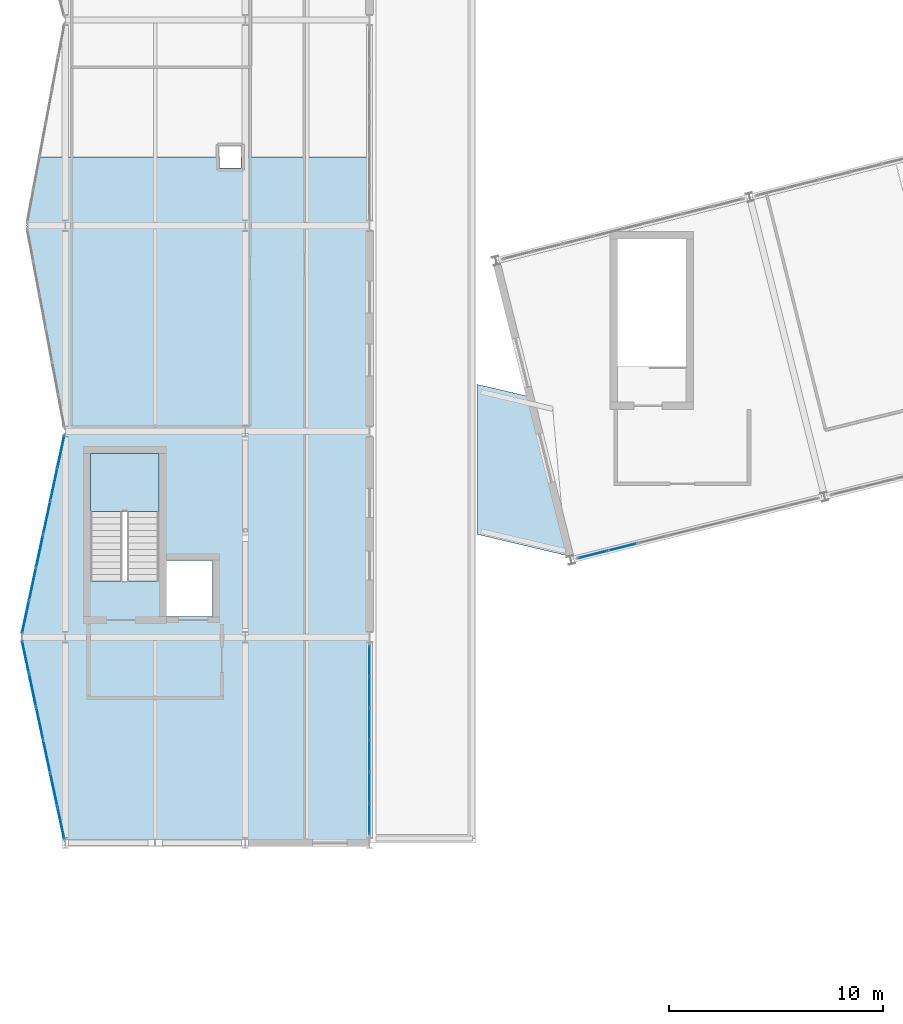
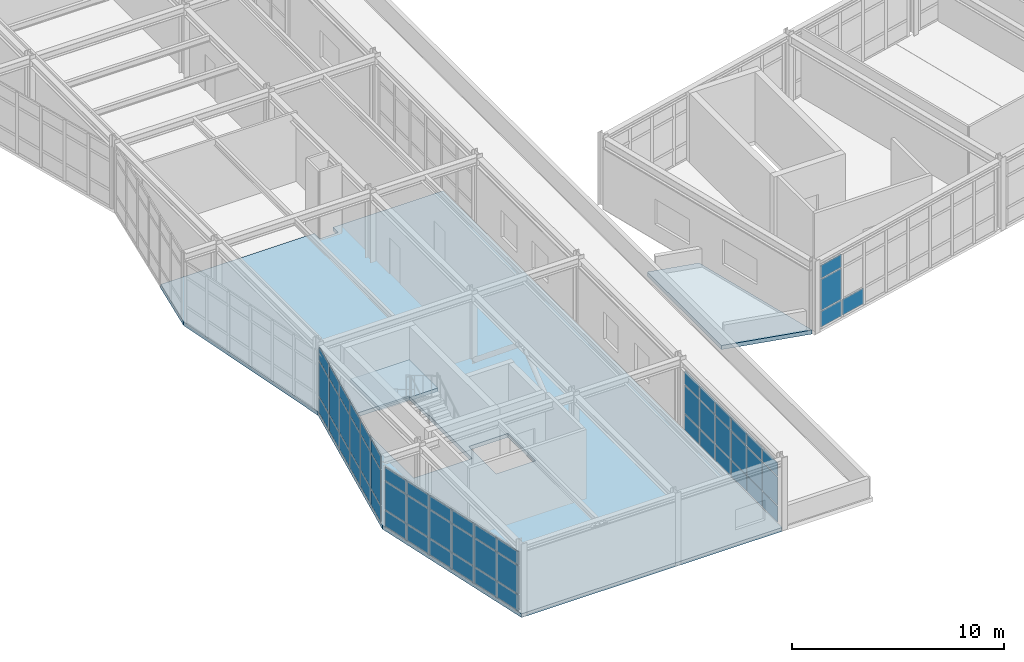
# One storey, part 39 of 64: 58 plates, 3 slabs, 5 elements without a shape of their own.
"""IFC4 building model written with IfcOpenShell, lengths in metres."""

from ifc_helpers import new_model, si_unit, direction, frame, origin, origin_2d, place, context, subcontext, project, spatial, polyline, rectangle, outline, extrude, material, layer, layer_set, type_object, element, aggregate, save


model = new_model("IFC4")

# Units and contexts
model_context = context("Model", 3, precision=1e-05, world=origin(), true_north=direction((0.0, 1.0)))
body_context = subcontext(model_context, "Body", "Model", "MODEL_VIEW")
ifc_project = project(units=[si_unit("LENGTHUNIT", "METRE"), si_unit("AREAUNIT", "SQUARE_METRE"), si_unit("VOLUMEUNIT", "CUBIC_METRE"), si_unit("PLANEANGLEUNIT", "RADIAN"), si_unit("MASSUNIT", "GRAM", prefix="KILO")], contexts=[model_context])

# Site, building, storey
site_placement = place(None, origin())
site = spatial("IfcSite", under=ifc_project, at=site_placement, CompositionType="ELEMENT")
building_placement = place(site_placement, origin())
building = spatial("IfcBuilding", under=site, at=building_placement, Name="Nordkorset Police Headquarters", CompositionType="ELEMENT")
storey_placement = place(building_placement, frame((0.0, 0.0, 17.85009765625)))
storey = spatial("IfcBuildingStorey", under=building, at=storey_placement, Name="L04", CompositionType="ELEMENT", Elevation=17.85009765625)

# Curtain wall, plates
ifc_material_1 = material(Name="Aluminium alloy AW-6060", Category="aluminium")
ifc_layer_1 = layer(ifc_material_1, 0.179931640625, Name="Aluminium alloy AW-6060")
ifc_layer_set_1 = layer_set([ifc_layer_1], Name="Aluminium alloy AW-6060")
curtain_wall_type_1 = type_object("IfcCurtainWallType", Name="CW_Unit_954x353", PredefinedType="USERDEFINED", material=ifc_layer_set_1)
curtain_wall_1_placement = place(storey_placement, origin())
curtain_wall_1 = element("IfcCurtainWall", 1, at=curtain_wall_1_placement, inside=storey, type_object=curtain_wall_type_1, Name="Unitised Curtain Wall L04 V3W-0", ObjectType="UNITISED CURTAIN WALL", PredefinedType="USERDEFINED")
ifc_material_2 = material(Name="Low-iron triple glazing", Category="glass")
ifc_layer_2 = layer(ifc_material_2, 0.035888671875, Name="Low-iron triple glazing")
ifc_layer_set_2 = layer_set([ifc_layer_2], Name="Low-iron triple glazing")
plate_type = type_object("IfcPlateType", Name="CW_Panel_TripleGlazing_36", PredefinedType="CURTAIN_PANEL", material=ifc_layer_set_2)
plate_1_placement = place(storey_placement, frame((-0.198486328125, 29.72998046875, 0.06494140625), z_axis=(0.0, 0.0, 1.0), x_axis=(-0.208832534289, 0.977951416289, 0.0)))
plate_1 = element("IfcPlate", 2, at=plate_1_placement, type_object=plate_type, Name="CW-09 panel 1.1", PredefinedType="CURTAIN_PANEL", context=body_context, shape_type="SweptSolid", body=[
    extrude(rectangle(XDim=1.491943359375, YDim=0.035888671875, at=origin_2d()), origin(), (0.0, 0.0, 1.0), 0.902587890625),
])
plate_2_placement = place(storey_placement, frame((-0.198486328125, 29.72998046875, 1.0322265625), z_axis=(0.0, 0.0, 1.0), x_axis=(-0.208832534289, 0.977951416289, 0.0)))
plate_2 = element("IfcPlate", 3, at=plate_2_placement, type_object=plate_type, Name="CW-09 panel 1.2", PredefinedType="CURTAIN_PANEL", context=body_context, shape_type="SweptSolid", body=[
    extrude(rectangle(XDim=1.491943359375, YDim=0.035888671875, at=origin_2d()), origin(), (0.0, 0.0, 1.0), 1.614990234375),
])
plate_3_placement = place(storey_placement, frame((-0.198486328125, 29.72998046875, 2.71240234375), z_axis=(0.0, 0.0, 1.0), x_axis=(-0.208832534289, 0.977951416289, 0.0)))
plate_3 = element("IfcPlate", 4, at=plate_3_placement, type_object=plate_type, Name="CW-09 panel 1.3", PredefinedType="CURTAIN_PANEL", context=body_context, shape_type="SweptSolid", body=[
    extrude(rectangle(XDim=1.491943359375, YDim=0.035888671875, at=origin_2d()), origin(), (0.0, 0.0, 1.0), 0.75244140625),
])
plate_4_placement = place(storey_placement, frame((-0.527099609375, 31.2685546875, 0.06494140625), z_axis=(0.0, 0.0, 1.0), x_axis=(-0.208832534289, 0.977951416289, 0.0)))
plate_4 = element("IfcPlate", 5, at=plate_4_placement, type_object=plate_type, Name="CW-09 panel 2.1", PredefinedType="CURTAIN_PANEL", context=body_context, shape_type="SweptSolid", body=[
    extrude(rectangle(XDim=1.5244140625, YDim=0.035888671875, at=origin_2d()), origin(), (0.0, 0.0, 1.0), 0.902587890625),
])
plate_5_placement = place(storey_placement, frame((-0.527099609375, 31.2685546875, 1.0322265625), z_axis=(0.0, 0.0, 1.0), x_axis=(-0.208832534289, 0.977951416289, 0.0)))
plate_5 = element("IfcPlate", 6, at=plate_5_placement, type_object=plate_type, Name="CW-09 panel 2.2", PredefinedType="CURTAIN_PANEL", context=body_context, shape_type="SweptSolid", body=[
    extrude(rectangle(XDim=1.5244140625, YDim=0.035888671875, at=origin_2d()), origin(), (0.0, 0.0, 1.0), 1.614990234375),
])
plate_6_placement = place(storey_placement, frame((-0.527099609375, 31.2685546875, 2.71240234375), z_axis=(0.0, 0.0, 1.0), x_axis=(-0.208832534289, 0.977951416289, 0.0)))
plate_6 = element("IfcPlate", 7, at=plate_6_placement, type_object=plate_type, Name="CW-09 panel 2.3", PredefinedType="CURTAIN_PANEL", context=body_context, shape_type="SweptSolid", body=[
    extrude(rectangle(XDim=1.5244140625, YDim=0.035888671875, at=origin_2d()), origin(), (0.0, 0.0, 1.0), 0.75244140625),
])
plate_7_placement = place(storey_placement, frame((-0.859130859375, 32.82275390625, 0.06494140625), z_axis=(0.0, 0.0, 1.0), x_axis=(-0.208832534289, 0.977951416289, 0.0)))
plate_7 = element("IfcPlate", 8, at=plate_7_placement, type_object=plate_type, Name="CW-09 panel 3.1", PredefinedType="CURTAIN_PANEL", context=body_context, shape_type="SweptSolid", body=[
    extrude(rectangle(XDim=1.5244140625, YDim=0.035888671875, at=origin_2d()), origin(), (0.0, 0.0, 1.0), 0.902587890625),
])
plate_8_placement = place(storey_placement, frame((-0.859130859375, 32.82275390625, 1.0322265625), z_axis=(0.0, 0.0, 1.0), x_axis=(-0.208832534289, 0.977951416289, 0.0)))
plate_8 = element("IfcPlate", 9, at=plate_8_placement, type_object=plate_type, Name="CW-09 panel 3.2", PredefinedType="CURTAIN_PANEL", context=body_context, shape_type="SweptSolid", body=[
    extrude(rectangle(XDim=1.5244140625, YDim=0.035888671875, at=origin_2d()), origin(), (0.0, 0.0, 1.0), 1.614990234375),
])
plate_9_placement = place(storey_placement, frame((-0.859130859375, 32.82275390625, 2.71240234375), z_axis=(0.0, 0.0, 1.0), x_axis=(-0.208832534289, 0.977951416289, 0.0)))
plate_9 = element("IfcPlate", 10, at=plate_9_placement, type_object=plate_type, Name="CW-09 panel 3.3", PredefinedType="CURTAIN_PANEL", context=body_context, shape_type="SweptSolid", body=[
    extrude(rectangle(XDim=1.5244140625, YDim=0.035888671875, at=origin_2d()), origin(), (0.0, 0.0, 1.0), 0.75244140625),
])
plate_10_placement = place(storey_placement, frame((-1.19091796875, 34.377197265625, 0.06494140625), z_axis=(0.0, 0.0, 1.0), x_axis=(-0.208832534289, 0.977951416289, 0.0)))
plate_10 = element("IfcPlate", 11, at=plate_10_placement, type_object=plate_type, Name="CW-09 panel 4.1", PredefinedType="CURTAIN_PANEL", context=body_context, shape_type="SweptSolid", body=[
    extrude(rectangle(XDim=1.5244140625, YDim=0.035888671875, at=origin_2d()), origin(), (0.0, 0.0, 1.0), 0.902587890625),
])
plate_11_placement = place(storey_placement, frame((-1.19091796875, 34.377197265625, 1.0322265625), z_axis=(0.0, 0.0, 1.0), x_axis=(-0.208832534289, 0.977951416289, 0.0)))
plate_11 = element("IfcPlate", 12, at=plate_11_placement, type_object=plate_type, Name="CW-09 panel 4.2", PredefinedType="CURTAIN_PANEL", context=body_context, shape_type="SweptSolid", body=[
    extrude(rectangle(XDim=1.5244140625, YDim=0.035888671875, at=origin_2d()), origin(), (0.0, 0.0, 1.0), 1.614990234375),
])
plate_12_placement = place(storey_placement, frame((-1.19091796875, 34.377197265625, 2.71240234375), z_axis=(0.0, 0.0, 1.0), x_axis=(-0.208832534289, 0.977951416289, 0.0)))
plate_12 = element("IfcPlate", 13, at=plate_12_placement, type_object=plate_type, Name="CW-09 panel 4.3", PredefinedType="CURTAIN_PANEL", context=body_context, shape_type="SweptSolid", body=[
    extrude(rectangle(XDim=1.5244140625, YDim=0.035888671875, at=origin_2d()), origin(), (0.0, 0.0, 1.0), 0.75244140625),
])
plate_13_placement = place(storey_placement, frame((-1.52294921875, 35.931640625, 0.06494140625), z_axis=(0.0, 0.0, 1.0), x_axis=(-0.208832534289, 0.977951416289, 0.0)))
plate_13 = element("IfcPlate", 14, at=plate_13_placement, type_object=plate_type, Name="CW-09 panel 5.1", PredefinedType="CURTAIN_PANEL", context=body_context, shape_type="SweptSolid", body=[
    extrude(rectangle(XDim=1.5244140625, YDim=0.035888671875, at=origin_2d()), origin(), (0.0, 0.0, 1.0), 0.902587890625),
])
plate_14_placement = place(storey_placement, frame((-1.52294921875, 35.931640625, 1.0322265625), z_axis=(0.0, 0.0, 1.0), x_axis=(-0.208832534289, 0.977951416289, 0.0)))
plate_14 = element("IfcPlate", 15, at=plate_14_placement, type_object=plate_type, Name="CW-09 panel 5.2", PredefinedType="CURTAIN_PANEL", context=body_context, shape_type="SweptSolid", body=[
    extrude(rectangle(XDim=1.5244140625, YDim=0.035888671875, at=origin_2d()), origin(), (0.0, 0.0, 1.0), 1.614990234375),
])
plate_15_placement = place(storey_placement, frame((-1.52294921875, 35.931640625, 2.71240234375), z_axis=(0.0, 0.0, 1.0), x_axis=(-0.208832534289, 0.977951416289, 0.0)))
plate_15 = element("IfcPlate", 16, at=plate_15_placement, type_object=plate_type, Name="CW-09 panel 5.3", PredefinedType="CURTAIN_PANEL", context=body_context, shape_type="SweptSolid", body=[
    extrude(rectangle(XDim=1.5244140625, YDim=0.035888671875, at=origin_2d()), origin(), (0.0, 0.0, 1.0), 0.75244140625),
])
plate_16_placement = place(storey_placement, frame((-1.851318359375, 37.469970703125, 0.06494140625), z_axis=(0.0, 0.0, 1.0), x_axis=(-0.208832534289, 0.977951416289, 0.0)))
plate_16 = element("IfcPlate", 17, at=plate_16_placement, type_object=plate_type, Name="CW-09 panel 6.1", PredefinedType="CURTAIN_PANEL", context=body_context, shape_type="SweptSolid", body=[
    extrude(rectangle(XDim=1.491943359375, YDim=0.035888671875, at=origin_2d()), origin(), (0.0, 0.0, 1.0), 0.902587890625),
])
plate_17_placement = place(storey_placement, frame((-1.851318359375, 37.469970703125, 1.0322265625), z_axis=(0.0, 0.0, 1.0), x_axis=(-0.208832534289, 0.977951416289, 0.0)))
plate_17 = element("IfcPlate", 18, at=plate_17_placement, type_object=plate_type, Name="CW-09 panel 6.2", PredefinedType="CURTAIN_PANEL", context=body_context, shape_type="SweptSolid", body=[
    extrude(rectangle(XDim=1.491943359375, YDim=0.035888671875, at=origin_2d()), origin(), (0.0, 0.0, 1.0), 1.614990234375),
])
plate_18_placement = place(storey_placement, frame((-1.851318359375, 37.469970703125, 2.71240234375), z_axis=(0.0, 0.0, 1.0), x_axis=(-0.208832534289, 0.977951416289, 0.0)))
plate_18 = element("IfcPlate", 19, at=plate_18_placement, type_object=plate_type, Name="CW-09 panel 6.3", PredefinedType="CURTAIN_PANEL", context=body_context, shape_type="SweptSolid", body=[
    extrude(rectangle(XDim=1.491943359375, YDim=0.035888671875, at=origin_2d()), origin(), (0.0, 0.0, 1.0), 0.75244140625),
])
aggregate(curtain_wall_1, [plate_1, plate_2, plate_3, plate_4, plate_5, plate_6, plate_7, plate_8, plate_9, plate_10, plate_11, plate_12, plate_13, plate_14, plate_15, plate_16, plate_17, plate_18])

ifc_material_3 = material(Name="Aluminium alloy AW-6060", Category="aluminium")
ifc_layer_3 = layer(ifc_material_3, 0.179931640625, Name="Aluminium alloy AW-6060")
ifc_layer_set_3 = layer_set([ifc_layer_3], Name="Aluminium alloy AW-6060")
curtain_wall_type_2 = type_object("IfcCurtainWallType", Name="CW_Unit_888x353", PredefinedType="USERDEFINED", material=ifc_layer_set_3)
curtain_wall_2_placement = place(storey_placement, origin())
curtain_wall_2 = element("IfcCurtainWall", 20, at=curtain_wall_2_placement, inside=storey, type_object=curtain_wall_type_2, Name="Unitised Curtain Wall L04 V3E-0", ObjectType="UNITISED CURTAIN WALL", PredefinedType="USERDEFINED")
plate_19_placement = place(storey_placement, frame((14.199951171875, 29.916259765625, 0.06494140625), z_axis=(0.0, 0.0, 1.0), x_axis=(0.0, 1.0, 0.0)))
plate_19 = element("IfcPlate", 21, at=plate_19_placement, type_object=plate_type, Name="CW-52 panel 1.1", PredefinedType="CURTAIN_PANEL", context=body_context, shape_type="SweptSolid", body=[
    extrude(rectangle(XDim=1.382568359375, YDim=0.035888671875, at=origin_2d()), origin(), (0.0, 0.0, 1.0), 0.902587890625),
])
plate_20_placement = place(storey_placement, frame((14.199951171875, 29.916259765625, 1.0322265625), z_axis=(0.0, 0.0, 1.0), x_axis=(0.0, 1.0, 0.0)))
plate_20 = element("IfcPlate", 22, at=plate_20_placement, type_object=plate_type, Name="CW-52 panel 1.2", PredefinedType="CURTAIN_PANEL", context=body_context, shape_type="SweptSolid", body=[
    extrude(rectangle(XDim=1.382568359375, YDim=0.035888671875, at=origin_2d()), origin(), (0.0, 0.0, 1.0), 1.614990234375),
])
plate_21_placement = place(storey_placement, frame((14.199951171875, 29.916259765625, 2.71240234375), z_axis=(0.0, 0.0, 1.0), x_axis=(0.0, 1.0, 0.0)))
plate_21 = element("IfcPlate", 23, at=plate_21_placement, type_object=plate_type, Name="CW-52 panel 1.3", PredefinedType="CURTAIN_PANEL", context=body_context, shape_type="SweptSolid", body=[
    extrude(rectangle(XDim=1.382568359375, YDim=0.035888671875, at=origin_2d()), origin(), (0.0, 0.0, 1.0), 0.75244140625),
])
plate_22_placement = place(storey_placement, frame((14.199951171875, 31.3798828125, 0.06494140625), z_axis=(0.0, 0.0, 1.0), x_axis=(0.0, 1.0, 0.0)))
plate_22 = element("IfcPlate", 24, at=plate_22_placement, type_object=plate_type, Name="CW-52 panel 2.1", PredefinedType="CURTAIN_PANEL", context=body_context, shape_type="SweptSolid", body=[
    extrude(rectangle(XDim=1.4150390625, YDim=0.035888671875, at=origin_2d()), origin(), (0.0, 0.0, 1.0), 0.902587890625),
])
plate_23_placement = place(storey_placement, frame((14.199951171875, 31.3798828125, 1.0322265625), z_axis=(0.0, 0.0, 1.0), x_axis=(0.0, 1.0, 0.0)))
plate_23 = element("IfcPlate", 25, at=plate_23_placement, type_object=plate_type, Name="CW-52 panel 2.2", PredefinedType="CURTAIN_PANEL", context=body_context, shape_type="SweptSolid", body=[
    extrude(rectangle(XDim=1.4150390625, YDim=0.035888671875, at=origin_2d()), origin(), (0.0, 0.0, 1.0), 1.614990234375),
])
plate_24_placement = place(storey_placement, frame((14.199951171875, 31.3798828125, 2.71240234375), z_axis=(0.0, 0.0, 1.0), x_axis=(0.0, 1.0, 0.0)))
plate_24 = element("IfcPlate", 26, at=plate_24_placement, type_object=plate_type, Name="CW-52 panel 2.3", PredefinedType="CURTAIN_PANEL", context=body_context, shape_type="SweptSolid", body=[
    extrude(rectangle(XDim=1.4150390625, YDim=0.035888671875, at=origin_2d()), origin(), (0.0, 0.0, 1.0), 0.75244140625),
])
plate_25_placement = place(storey_placement, frame((14.199951171875, 32.860107421875, 0.06494140625), z_axis=(0.0, 0.0, 1.0), x_axis=(0.0, 1.0, 0.0)))
plate_25 = element("IfcPlate", 27, at=plate_25_placement, type_object=plate_type, Name="CW-52 panel 3.1", PredefinedType="CURTAIN_PANEL", context=body_context, shape_type="SweptSolid", body=[
    extrude(rectangle(XDim=1.4150390625, YDim=0.035888671875, at=origin_2d()), origin(), (0.0, 0.0, 1.0), 0.902587890625),
])
plate_26_placement = place(storey_placement, frame((14.199951171875, 32.860107421875, 1.0322265625), z_axis=(0.0, 0.0, 1.0), x_axis=(0.0, 1.0, 0.0)))
plate_26 = element("IfcPlate", 28, at=plate_26_placement, type_object=plate_type, Name="CW-52 panel 3.2", PredefinedType="CURTAIN_PANEL", context=body_context, shape_type="SweptSolid", body=[
    extrude(rectangle(XDim=1.4150390625, YDim=0.035888671875, at=origin_2d()), origin(), (0.0, 0.0, 1.0), 1.614990234375),
])
plate_27_placement = place(storey_placement, frame((14.199951171875, 32.860107421875, 2.71240234375), z_axis=(0.0, 0.0, 1.0), x_axis=(0.0, 1.0, 0.0)))
plate_27 = element("IfcPlate", 29, at=plate_27_placement, type_object=plate_type, Name="CW-52 panel 3.3", PredefinedType="CURTAIN_PANEL", context=body_context, shape_type="SweptSolid", body=[
    extrude(rectangle(XDim=1.4150390625, YDim=0.035888671875, at=origin_2d()), origin(), (0.0, 0.0, 1.0), 0.75244140625),
])
plate_28_placement = place(storey_placement, frame((14.199951171875, 34.340087890625, 0.06494140625), z_axis=(0.0, 0.0, 1.0), x_axis=(0.0, 1.0, 0.0)))
plate_28 = element("IfcPlate", 30, at=plate_28_placement, type_object=plate_type, Name="CW-52 panel 4.1", PredefinedType="CURTAIN_PANEL", context=body_context, shape_type="SweptSolid", body=[
    extrude(rectangle(XDim=1.4150390625, YDim=0.035888671875, at=origin_2d()), origin(), (0.0, 0.0, 1.0), 0.902587890625),
])
plate_29_placement = place(storey_placement, frame((14.199951171875, 34.340087890625, 1.0322265625), z_axis=(0.0, 0.0, 1.0), x_axis=(0.0, 1.0, 0.0)))
plate_29 = element("IfcPlate", 31, at=plate_29_placement, type_object=plate_type, Name="CW-52 panel 4.2", PredefinedType="CURTAIN_PANEL", context=body_context, shape_type="SweptSolid", body=[
    extrude(rectangle(XDim=1.4150390625, YDim=0.035888671875, at=origin_2d()), origin(), (0.0, 0.0, 1.0), 1.614990234375),
])
plate_30_placement = place(storey_placement, frame((14.199951171875, 34.340087890625, 2.71240234375), z_axis=(0.0, 0.0, 1.0), x_axis=(0.0, 1.0, 0.0)))
plate_30 = element("IfcPlate", 32, at=plate_30_placement, type_object=plate_type, Name="CW-52 panel 4.3", PredefinedType="CURTAIN_PANEL", context=body_context, shape_type="SweptSolid", body=[
    extrude(rectangle(XDim=1.4150390625, YDim=0.035888671875, at=origin_2d()), origin(), (0.0, 0.0, 1.0), 0.75244140625),
])
plate_31_placement = place(storey_placement, frame((14.199951171875, 35.820068359375, 0.06494140625), z_axis=(0.0, 0.0, 1.0), x_axis=(0.0, 1.0, 0.0)))
plate_31 = element("IfcPlate", 33, at=plate_31_placement, type_object=plate_type, Name="CW-52 panel 5.1", PredefinedType="CURTAIN_PANEL", context=body_context, shape_type="SweptSolid", body=[
    extrude(rectangle(XDim=1.4150390625, YDim=0.035888671875, at=origin_2d()), origin(), (0.0, 0.0, 1.0), 0.902587890625),
])
plate_32_placement = place(storey_placement, frame((14.199951171875, 35.820068359375, 1.0322265625), z_axis=(0.0, 0.0, 1.0), x_axis=(0.0, 1.0, 0.0)))
plate_32 = element("IfcPlate", 34, at=plate_32_placement, type_object=plate_type, Name="CW-52 panel 5.2", PredefinedType="CURTAIN_PANEL", context=body_context, shape_type="SweptSolid", body=[
    extrude(rectangle(XDim=1.4150390625, YDim=0.035888671875, at=origin_2d()), origin(), (0.0, 0.0, 1.0), 1.614990234375),
])
plate_33_placement = place(storey_placement, frame((14.199951171875, 35.820068359375, 2.71240234375), z_axis=(0.0, 0.0, 1.0), x_axis=(0.0, 1.0, 0.0)))
plate_33 = element("IfcPlate", 35, at=plate_33_placement, type_object=plate_type, Name="CW-52 panel 5.3", PredefinedType="CURTAIN_PANEL", context=body_context, shape_type="SweptSolid", body=[
    extrude(rectangle(XDim=1.4150390625, YDim=0.035888671875, at=origin_2d()), origin(), (0.0, 0.0, 1.0), 0.75244140625),
])
plate_34_placement = place(storey_placement, frame((14.199951171875, 37.28369140625, 0.06494140625), z_axis=(0.0, 0.0, 1.0), x_axis=(0.0, 1.0, 0.0)))
plate_34 = element("IfcPlate", 36, at=plate_34_placement, type_object=plate_type, Name="CW-52 panel 6.1", PredefinedType="CURTAIN_PANEL", context=body_context, shape_type="SweptSolid", body=[
    extrude(rectangle(XDim=1.382568359375, YDim=0.035888671875, at=origin_2d()), origin(), (0.0, 0.0, 1.0), 0.902587890625),
])
plate_35_placement = place(storey_placement, frame((14.199951171875, 37.28369140625, 1.0322265625), z_axis=(0.0, 0.0, 1.0), x_axis=(0.0, 1.0, 0.0)))
plate_35 = element("IfcPlate", 37, at=plate_35_placement, type_object=plate_type, Name="CW-52 panel 6.2", PredefinedType="CURTAIN_PANEL", context=body_context, shape_type="SweptSolid", body=[
    extrude(rectangle(XDim=1.382568359375, YDim=0.035888671875, at=origin_2d()), origin(), (0.0, 0.0, 1.0), 1.614990234375),
])
plate_36_placement = place(storey_placement, frame((14.199951171875, 37.28369140625, 2.71240234375), z_axis=(0.0, 0.0, 1.0), x_axis=(0.0, 1.0, 0.0)))
plate_36 = element("IfcPlate", 38, at=plate_36_placement, type_object=plate_type, Name="CW-52 panel 6.3", PredefinedType="CURTAIN_PANEL", context=body_context, shape_type="SweptSolid", body=[
    extrude(rectangle(XDim=1.382568359375, YDim=0.035888671875, at=origin_2d()), origin(), (0.0, 0.0, 1.0), 0.75244140625),
])
aggregate(curtain_wall_2, [plate_19, plate_20, plate_21, plate_22, plate_23, plate_24, plate_25, plate_26, plate_27, plate_28, plate_29, plate_30, plate_31, plate_32, plate_33, plate_34, plate_35, plate_36])

ifc_material_4 = material(Name="Aluminium alloy AW-6060", Category="aluminium")
ifc_layer_4 = layer(ifc_material_4, 0.179931640625, Name="Aluminium alloy AW-6060")
ifc_layer_set_4 = layer_set([ifc_layer_4], Name="Aluminium alloy AW-6060")
curtain_wall_type_3 = type_object("IfcCurtainWallType", Name="CW_Unit_954x392", PredefinedType="USERDEFINED", material=ifc_layer_set_4)
curtain_wall_3_placement = place(storey_placement, origin())
curtain_wall_3 = element("IfcCurtainWall", 39, at=curtain_wall_3_placement, inside=storey, type_object=curtain_wall_type_3, Name="Unitised Curtain Wall L04 V3W-1", ObjectType="UNITISED CURTAIN WALL", PredefinedType="USERDEFINED")
plate_37_placement = place(storey_placement, frame((-1.851318359375, 39.330078125, 0.06494140625), z_axis=(0.0, 0.0, 1.0), x_axis=(0.208832534289, 0.977951416289, 0.0)))
plate_37 = element("IfcPlate", 40, at=plate_37_placement, type_object=plate_type, Name="CW-20 panel 1.1", PredefinedType="CURTAIN_PANEL", context=body_context, shape_type="SweptSolid", body=[
    extrude(rectangle(XDim=1.491943359375, YDim=0.035888671875, at=origin_2d()), origin(), (0.0, 0.0, 1.0), 0.902587890625),
])
plate_38_placement = place(storey_placement, frame((-1.851318359375, 39.330078125, 1.032470703125), z_axis=(0.0, 0.0, 1.0), x_axis=(0.208832534289, 0.977951416289, 0.0)))
plate_38 = element("IfcPlate", 41, at=plate_38_placement, type_object=plate_type, Name="CW-20 panel 1.2", PredefinedType="CURTAIN_PANEL", context=body_context, shape_type="SweptSolid", body=[
    extrude(rectangle(XDim=1.491943359375, YDim=0.035888671875, at=origin_2d()), origin(), (0.0, 0.0, 1.0), 2.0048828125),
])
plate_39_placement = place(storey_placement, frame((-1.851318359375, 39.330078125, 3.1025390625), z_axis=(0.0, 0.0, 1.0), x_axis=(0.208832534289, 0.977951416289, 0.0)))
plate_39 = element("IfcPlate", 42, at=plate_39_placement, type_object=plate_type, Name="CW-20 panel 1.3", PredefinedType="CURTAIN_PANEL", context=body_context, shape_type="SweptSolid", body=[
    extrude(rectangle(XDim=1.491943359375, YDim=0.035888671875, at=origin_2d()), origin(), (0.0, 0.0, 1.0), 0.75244140625),
])
plate_40_placement = place(storey_placement, frame((-1.52294921875, 40.868408203125, 0.06494140625), z_axis=(0.0, 0.0, 1.0), x_axis=(0.208832534289, 0.977951416289, 0.0)))
plate_40 = element("IfcPlate", 43, at=plate_40_placement, type_object=plate_type, Name="CW-20 panel 2.1", PredefinedType="CURTAIN_PANEL", context=body_context, shape_type="SweptSolid", body=[
    extrude(rectangle(XDim=1.5244140625, YDim=0.035888671875, at=origin_2d()), origin(), (0.0, 0.0, 1.0), 0.902587890625),
])
plate_41_placement = place(storey_placement, frame((-1.52294921875, 40.868408203125, 1.032470703125), z_axis=(0.0, 0.0, 1.0), x_axis=(0.208832534289, 0.977951416289, 0.0)))
plate_41 = element("IfcPlate", 44, at=plate_41_placement, type_object=plate_type, Name="CW-20 panel 2.2", PredefinedType="CURTAIN_PANEL", context=body_context, shape_type="SweptSolid", body=[
    extrude(rectangle(XDim=1.5244140625, YDim=0.035888671875, at=origin_2d()), origin(), (0.0, 0.0, 1.0), 2.0048828125),
])
plate_42_placement = place(storey_placement, frame((-1.52294921875, 40.868408203125, 3.1025390625), z_axis=(0.0, 0.0, 1.0), x_axis=(0.208832534289, 0.977951416289, 0.0)))
plate_42 = element("IfcPlate", 45, at=plate_42_placement, type_object=plate_type, Name="CW-20 panel 2.3", PredefinedType="CURTAIN_PANEL", context=body_context, shape_type="SweptSolid", body=[
    extrude(rectangle(XDim=1.5244140625, YDim=0.035888671875, at=origin_2d()), origin(), (0.0, 0.0, 1.0), 0.75244140625),
])
plate_43_placement = place(storey_placement, frame((-1.19091796875, 42.4228515625, 0.06494140625), z_axis=(0.0, 0.0, 1.0), x_axis=(0.208832534289, 0.977951416289, 0.0)))
plate_43 = element("IfcPlate", 46, at=plate_43_placement, type_object=plate_type, Name="CW-20 panel 3.1", PredefinedType="CURTAIN_PANEL", context=body_context, shape_type="SweptSolid", body=[
    extrude(rectangle(XDim=1.5244140625, YDim=0.035888671875, at=origin_2d()), origin(), (0.0, 0.0, 1.0), 0.902587890625),
])
plate_44_placement = place(storey_placement, frame((-1.19091796875, 42.4228515625, 1.032470703125), z_axis=(0.0, 0.0, 1.0), x_axis=(0.208832534289, 0.977951416289, 0.0)))
plate_44 = element("IfcPlate", 47, at=plate_44_placement, type_object=plate_type, Name="CW-20 panel 3.2", PredefinedType="CURTAIN_PANEL", context=body_context, shape_type="SweptSolid", body=[
    extrude(rectangle(XDim=1.5244140625, YDim=0.035888671875, at=origin_2d()), origin(), (0.0, 0.0, 1.0), 2.0048828125),
])
plate_45_placement = place(storey_placement, frame((-1.19091796875, 42.4228515625, 3.1025390625), z_axis=(0.0, 0.0, 1.0), x_axis=(0.208832534289, 0.977951416289, 0.0)))
plate_45 = element("IfcPlate", 48, at=plate_45_placement, type_object=plate_type, Name="CW-20 panel 3.3", PredefinedType="CURTAIN_PANEL", context=body_context, shape_type="SweptSolid", body=[
    extrude(rectangle(XDim=1.5244140625, YDim=0.035888671875, at=origin_2d()), origin(), (0.0, 0.0, 1.0), 0.75244140625),
])
plate_46_placement = place(storey_placement, frame((-0.859130859375, 43.977294921875, 0.06494140625), z_axis=(0.0, 0.0, 1.0), x_axis=(0.208832534289, 0.977951416289, 0.0)))
plate_46 = element("IfcPlate", 49, at=plate_46_placement, type_object=plate_type, Name="CW-20 panel 4.1", PredefinedType="CURTAIN_PANEL", context=body_context, shape_type="SweptSolid", body=[
    extrude(rectangle(XDim=1.5244140625, YDim=0.035888671875, at=origin_2d()), origin(), (0.0, 0.0, 1.0), 0.902587890625),
])
plate_47_placement = place(storey_placement, frame((-0.859130859375, 43.977294921875, 1.032470703125), z_axis=(0.0, 0.0, 1.0), x_axis=(0.208832534289, 0.977951416289, 0.0)))
plate_47 = element("IfcPlate", 50, at=plate_47_placement, type_object=plate_type, Name="CW-20 panel 4.2", PredefinedType="CURTAIN_PANEL", context=body_context, shape_type="SweptSolid", body=[
    extrude(rectangle(XDim=1.5244140625, YDim=0.035888671875, at=origin_2d()), origin(), (0.0, 0.0, 1.0), 2.0048828125),
])
plate_48_placement = place(storey_placement, frame((-0.859130859375, 43.977294921875, 3.1025390625), z_axis=(0.0, 0.0, 1.0), x_axis=(0.208832534289, 0.977951416289, 0.0)))
plate_48 = element("IfcPlate", 51, at=plate_48_placement, type_object=plate_type, Name="CW-20 panel 4.3", PredefinedType="CURTAIN_PANEL", context=body_context, shape_type="SweptSolid", body=[
    extrude(rectangle(XDim=1.5244140625, YDim=0.035888671875, at=origin_2d()), origin(), (0.0, 0.0, 1.0), 0.75244140625),
])
plate_49_placement = place(storey_placement, frame((-0.527099609375, 45.531494140625, 0.06494140625), z_axis=(0.0, 0.0, 1.0), x_axis=(0.208832534289, 0.977951416289, 0.0)))
plate_49 = element("IfcPlate", 52, at=plate_49_placement, type_object=plate_type, Name="CW-20 panel 5.1", PredefinedType="CURTAIN_PANEL", context=body_context, shape_type="SweptSolid", body=[
    extrude(rectangle(XDim=1.5244140625, YDim=0.035888671875, at=origin_2d()), origin(), (0.0, 0.0, 1.0), 0.902587890625),
])
plate_50_placement = place(storey_placement, frame((-0.527099609375, 45.531494140625, 1.032470703125), z_axis=(0.0, 0.0, 1.0), x_axis=(0.208832534289, 0.977951416289, 0.0)))
plate_50 = element("IfcPlate", 53, at=plate_50_placement, type_object=plate_type, Name="CW-20 panel 5.2", PredefinedType="CURTAIN_PANEL", context=body_context, shape_type="SweptSolid", body=[
    extrude(rectangle(XDim=1.5244140625, YDim=0.035888671875, at=origin_2d()), origin(), (0.0, 0.0, 1.0), 2.0048828125),
])
plate_51_placement = place(storey_placement, frame((-0.527099609375, 45.531494140625, 3.1025390625), z_axis=(0.0, 0.0, 1.0), x_axis=(0.208832534289, 0.977951416289, 0.0)))
plate_51 = element("IfcPlate", 54, at=plate_51_placement, type_object=plate_type, Name="CW-20 panel 5.3", PredefinedType="CURTAIN_PANEL", context=body_context, shape_type="SweptSolid", body=[
    extrude(rectangle(XDim=1.5244140625, YDim=0.035888671875, at=origin_2d()), origin(), (0.0, 0.0, 1.0), 0.75244140625),
])
plate_52_placement = place(storey_placement, frame((-0.198486328125, 47.070068359375, 0.06494140625), z_axis=(0.0, 0.0, 1.0), x_axis=(0.208832534289, 0.977951416289, 0.0)))
plate_52 = element("IfcPlate", 55, at=plate_52_placement, type_object=plate_type, Name="CW-20 panel 6.1", PredefinedType="CURTAIN_PANEL", context=body_context, shape_type="SweptSolid", body=[
    extrude(rectangle(XDim=1.491943359375, YDim=0.035888671875, at=origin_2d()), origin(), (0.0, 0.0, 1.0), 0.902587890625),
])
plate_53_placement = place(storey_placement, frame((-0.198486328125, 47.070068359375, 1.032470703125), z_axis=(0.0, 0.0, 1.0), x_axis=(0.208832534289, 0.977951416289, 0.0)))
plate_53 = element("IfcPlate", 56, at=plate_53_placement, type_object=plate_type, Name="CW-20 panel 6.2", PredefinedType="CURTAIN_PANEL", context=body_context, shape_type="SweptSolid", body=[
    extrude(rectangle(XDim=1.491943359375, YDim=0.035888671875, at=origin_2d()), origin(), (0.0, 0.0, 1.0), 2.0048828125),
])
plate_54_placement = place(storey_placement, frame((-0.198486328125, 47.070068359375, 3.1025390625), z_axis=(0.0, 0.0, 1.0), x_axis=(0.208832534289, 0.977951416289, 0.0)))
plate_54 = element("IfcPlate", 57, at=plate_54_placement, type_object=plate_type, Name="CW-20 panel 6.3", PredefinedType="CURTAIN_PANEL", context=body_context, shape_type="SweptSolid", body=[
    extrude(rectangle(XDim=1.491943359375, YDim=0.035888671875, at=origin_2d()), origin(), (0.0, 0.0, 1.0), 0.75244140625),
])
aggregate(curtain_wall_3, [plate_37, plate_38, plate_39, plate_40, plate_41, plate_42, plate_43, plate_44, plate_45, plate_46, plate_47, plate_48, plate_49, plate_50, plate_51, plate_52, plate_53, plate_54])

ifc_material_5 = material(Name="Aluminium alloy AW-6060", Category="aluminium")
ifc_layer_5 = layer(ifc_material_5, 0.179931640625, Name="Aluminium alloy AW-6060")
ifc_layer_set_5 = layer_set([ifc_layer_5], Name="Aluminium alloy AW-6060")
curtain_wall_type_4 = type_object("IfcCurtainWallType", Name="CW_Unit_1156x369", PredefinedType="USERDEFINED", material=ifc_layer_set_5)
curtain_wall_4_placement = place(storey_placement, origin())
curtain_wall_4 = element("IfcCurtainWall", 58, at=curtain_wall_4_placement, inside=storey, type_object=curtain_wall_type_4, Name="Unitised Curtain Wall L04 V4S-0", ObjectType="UNITISED CURTAIN WALL", PredefinedType="USERDEFINED")
plate_55_placement = place(storey_placement, frame((24.627197265625, 42.2568359375, 0.06494140625), z_axis=(0.0, 0.0, 1.0), x_axis=(0.970142500145, 0.242535625038, 0.0)))
plate_55 = element("IfcPlate", 59, at=plate_55_placement, type_object=plate_type, Name="CW-06 panel 1.1", PredefinedType="CURTAIN_PANEL", context=body_context, shape_type="SweptSolid", body=[
    extrude(rectangle(XDim=1.347412109375, YDim=0.035888671875, at=origin_2d()), origin(), (0.0, 0.0, 1.0), 0.902587890625),
])
plate_56_placement = place(storey_placement, frame((24.627197265625, 42.2568359375, 1.032470703125), z_axis=(0.0, 0.0, 1.0), x_axis=(0.970142500145, 0.242535625038, 0.0)))
plate_56 = element("IfcPlate", 60, at=plate_56_placement, type_object=plate_type, Name="CW-06 panel 1.2", PredefinedType="CURTAIN_PANEL", context=body_context, shape_type="SweptSolid", body=[
    extrude(rectangle(XDim=1.347412109375, YDim=0.035888671875, at=origin_2d()), origin(), (0.0, 0.0, 1.0), 1.77587890625),
])
plate_57_placement = place(storey_placement, frame((24.627197265625, 42.2568359375, 2.87353515625), z_axis=(0.0, 0.0, 1.0), x_axis=(0.970142500145, 0.242535625038, 0.0)))
plate_57 = element("IfcPlate", 61, at=plate_57_placement, type_object=plate_type, Name="CW-06 panel 1.3", PredefinedType="CURTAIN_PANEL", context=body_context, shape_type="SweptSolid", body=[
    extrude(rectangle(XDim=1.347412109375, YDim=0.035888671875, at=origin_2d()), origin(), (0.0, 0.0, 1.0), 0.75244140625),
])
plate_58_placement = place(storey_placement, frame((26.01318359375, 42.603271484375, 0.06494140625), z_axis=(0.0, 0.0, 1.0), x_axis=(0.970142500145, 0.242535625038, 0.0)))
plate_58 = element("IfcPlate", 62, at=plate_58_placement, type_object=plate_type, Name="CW-06 panel 2.1", PredefinedType="CURTAIN_PANEL", context=body_context, shape_type="SweptSolid", body=[
    extrude(rectangle(XDim=1.3798828125, YDim=0.035888671875, at=origin_2d()), origin(), (0.0, 0.0, 1.0), 0.902587890625),
])
aggregate(curtain_wall_4, [plate_55, plate_56, plate_57, plate_58])

# Slabs
ifc_material_6 = material(Name="Concrete C35/45", Category="concrete")
ifc_layer_6 = layer(ifc_material_6, 0.219970703125, Name="Concrete C35/45")
ifc_layer_set_6 = layer_set([ifc_layer_6], Name="Concrete C35/45")
slab_type_1 = type_object("IfcSlabType", Name="Slab_Office_220", PredefinedType="FLOOR", material=ifc_layer_set_6)
slab_1_placement = place(storey_placement, frame((0.0, 0.0, -0.22021484375)))
element("IfcSlab", 63, at=slab_1_placement, inside=storey, type_object=slab_type_1, Name="Composite Floor Slab V3 South L04", PredefinedType="FLOOR", context=body_context, shape_type="SweptSolid", body=[
    extrude(outline(polyline([(0.0, 48.0), (-1.800048828125, 57.60009765625), (-1.199951171875, 60.800048828125), (7.199951171875, 60.800048828125), (7.199951171875, 60.300048828125), (8.199951171875, 60.300048828125), (8.199951171875, 60.800048828125), (14.199951171875, 60.800048828125), (14.199951171875, 28.800048828125), (0.0, 28.800048828125), (-2.050048828125, 38.39990234375), (0.0, 48.0)]), holes=[polyline([(1.175048828125, 46.97509765625), (1.175048828125, 41.028076171875), (4.375, 41.028076171875), (4.375, 46.97509765625), (1.175048828125, 46.97509765625)]), polyline([(6.875, 41.97509765625), (4.72509765625, 41.97509765625), (4.72509765625, 39.375), (6.875, 39.375), (6.875, 41.97509765625)])]), origin(), (0.0, 0.0, 1.0), 0.22021484375),
])
ifc_material_7 = material(Name="Concrete C35/45", Category="concrete")
ifc_layer_7 = layer(ifc_material_7, 0.235107421875, Name="Concrete C35/45")
ifc_layer_set_7 = layer_set([ifc_layer_7], Name="Concrete C35/45")
slab_type_2 = type_object("IfcSlabType", Name="Slab_RoofFlat_235", PredefinedType="ROOF", material=ifc_layer_set_7)
slab_2_placement = place(storey_placement, frame((0.0, 0.0, -0.235107421875)))
element("IfcSlab", 64, at=slab_2_placement, inside=storey, type_object=slab_type_2, Name="West Courtyard Glazed Link Bridge Roof Slab", PredefinedType="ROOF", context=body_context, shape_type="SweptSolid", body=[
    extrude(outline(polyline([(19.205078125, 43.199951171875), (19.205078125, 50.199951171875), (21.69580078125, 49.616943359375), (23.5576171875, 42.169189453125), (19.205078125, 43.199951171875)])), origin(), (0.0, 0.0, 1.0), 0.235107421875),
])

# Stair, slab
ifc_material_8 = material(Name="Concrete C35/45", Category="concrete")
stair_type = type_object("IfcStairType", Name="ST-42", PredefinedType="HALF_TURN_STAIR", material=ifc_material_8)
stair_placement = place(storey_placement, origin())
stair = element("IfcStair", 65, at=stair_placement, inside=storey, type_object=stair_type, Name="L04 Protected Escape Stair ST-04", PredefinedType="HALF_TURN_STAIR")
ifc_material_9 = material(Name="Concrete C35/45", Category="concrete")
ifc_layer_8 = layer(ifc_material_9, 0.199951171875, Name="Concrete C35/45")
ifc_layer_set_8 = layer_set([ifc_layer_8], Name="Concrete C35/45")
slab_type_3 = type_object("IfcSlabType", Name="Slab_StairLanding_200", PredefinedType="LANDING", material=ifc_layer_set_8)
slab_3_placement = place(storey_placement, frame((0.0, 0.0, 1.89990234375)))
slab_3 = element("IfcSlab", 66, at=slab_3_placement, type_object=slab_type_3, Name="ST-04 landing 1", PredefinedType="LANDING", context=body_context, shape_type="SweptSolid", body=[
    extrude(outline(polyline([(4.375, 44.27001953125), (4.375, 46.97509765625), (1.175048828125, 46.97509765625), (1.175048828125, 44.27001953125), (4.375, 44.27001953125)])), origin(), (0.0, 0.0, 1.0), 0.199951171875),
])
aggregate(stair, [slab_3])

save(model, "model.ifc")
